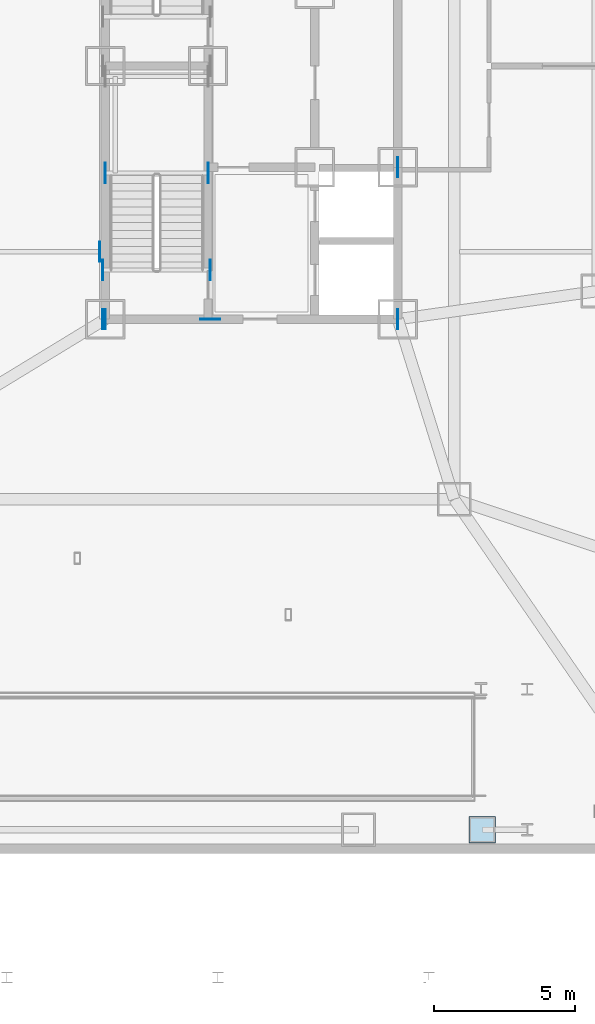
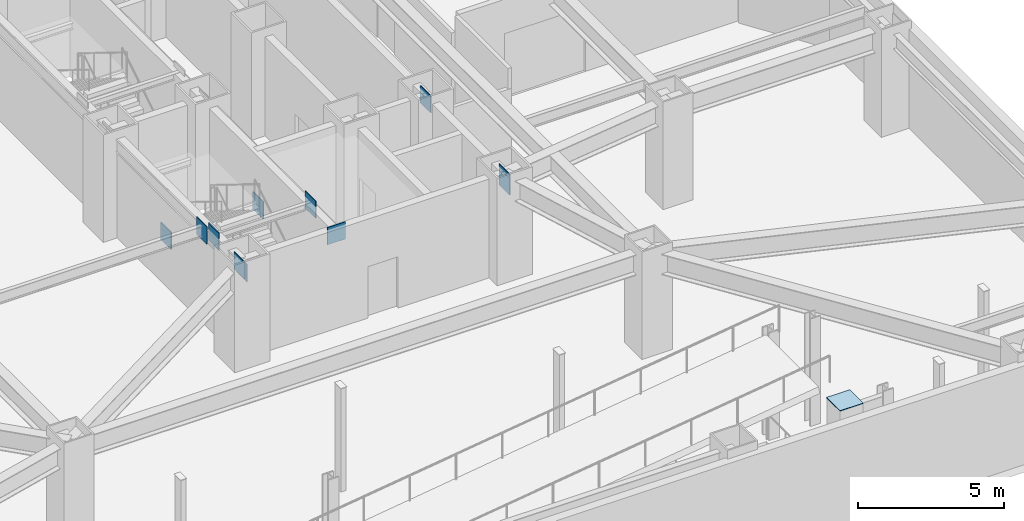
# One storey, part 6 of 14: 12 plates.
"""IFC4 building model written with IfcOpenShell, lengths in metres."""

from ifc_helpers import new_model, si_unit, direction, frame, origin, origin_2d, place, context, subcontext, project, spatial, rectangle, extrude, material, layer, layer_set, type_object, element, save


model = new_model("IFC4")

# Units and contexts
model_context = context("Model", 3, precision=1e-05, world=origin(), true_north=direction((0.0, 1.0)))
body_context = subcontext(model_context, "Body", "Model", "MODEL_VIEW")
ifc_project = project(units=[si_unit("LENGTHUNIT", "METRE"), si_unit("AREAUNIT", "SQUARE_METRE"), si_unit("VOLUMEUNIT", "CUBIC_METRE"), si_unit("PLANEANGLEUNIT", "RADIAN"), si_unit("MASSUNIT", "GRAM", prefix="KILO")], contexts=[model_context])

# Site, building, storey
site_placement = place(None, origin())
site = spatial("IfcSite", under=ifc_project, at=site_placement, CompositionType="ELEMENT")
building_placement = place(site_placement, origin())
building = spatial("IfcBuilding", under=site, at=building_placement, Name="Khamvora Tower", CompositionType="ELEMENT")
storey_placement = place(building_placement, frame((0.0, 0.0, -4.5)))
storey = spatial("IfcBuildingStorey", under=building, at=storey_placement, Name="B1", CompositionType="ELEMENT", Elevation=-4.5)

# Plates
ifc_material_1 = material(Name="Steel S355", Category="steel")
ifc_layer_1 = layer(ifc_material_1, 0.02490234375)
ifc_layer_set_1 = layer_set([ifc_layer_1], Name="Steel S355")
plate_type_1 = type_object("IfcPlateType", Name="PL-CAP-25", PredefinedType="SHEET", material=ifc_layer_set_1)
plate_1_placement = place(storey_placement, frame((42.39990234375, 0.85009765625, 4.474609375), z_axis=(0.0, 0.0, 1.0), x_axis=(1.0, 0.0, 0.0)))
element("IfcPlate", 1, at=plate_1_placement, inside=storey, type_object=plate_type_1, Name="B1 hollow section steel end cap plate 0079", PredefinedType="SHEET", context=body_context, shape_type="SweptSolid", body=[
    extrude(rectangle(XDim=0.929931640625, YDim=0.929931640625, at=origin_2d()), origin(), (0.0, 0.0, 1.0), 0.02490234375),
])
ifc_material_2 = material(Name="Steel S460", Category="steel")
ifc_layer_2 = layer(ifc_material_2, 0.034912109375)
ifc_layer_set_2 = layer_set([ifc_layer_2], Name="Steel S460")
plate_type_2 = type_object("IfcPlateType", Name="PL-EMB-35", PredefinedType="SHEET", material=ifc_layer_set_2)
for number, where, z_axis, x_axis, name in (
    (2, (29.0, 24.195068359375, 1.55908203125), (0.0, 0.0, 1.0), (1.0, 0.0, 0.0), "B1 core shear wall cast-in embed plate 0028"),
    (3, (32.64990234375, 24.195068359375, 1.55908203125), (0.0, 0.0, 1.0), (1.0, 0.0, 0.0), "B1 core shear wall cast-in embed plate 0029"),
    (4, (29.0, 19.0, 3.35302734375), (0.0, 0.0, 1.0), (1.0, 0.0, 0.0), "B1 core shear wall cast-in embed plate 0037"),
    (5, (39.39990234375, 19.0, 3.35302734375), (0.0, 0.0, 1.0), (1.0, 0.0, 0.0), "B1 core shear wall cast-in embed plate 0038"),
    (6, (28.89990234375, 19.0, 3.51318359375), (0.0, 0.0, 1.0), (1.0, 0.0, 0.0), "B1 core shear wall cast-in embed plate 0041"),
):
    element("IfcPlate", number, at=place(storey_placement, frame(where, z_axis=z_axis, x_axis=x_axis)), inside=storey, type_object=plate_type_2, Name=name, PredefinedType="SHEET", context=body_context, shape_type="SweptSolid", body=[
        extrude(rectangle(XDim=0.034912109375, YDim=0.719970703125, at=origin_2d()), origin(), (0.0, 0.0, 1.0), 0.719970703125),
    ])
plate_2_placement = place(storey_placement, frame((32.72998046875, 19.0, 3.51318359375), z_axis=(0.0, 0.0, 1.0), x_axis=(1.0, 0.0, 0.0)))
element("IfcPlate", 7, at=plate_2_placement, inside=storey, type_object=plate_type_2, Name="B1 core shear wall cast-in embed plate 0044", PredefinedType="SHEET", context=body_context, shape_type="SweptSolid", body=[
    extrude(rectangle(XDim=0.719970703125, YDim=0.034912109375, at=origin_2d()), origin(), (0.0, 0.0, 1.0), 0.719970703125),
])
for number, where, z_axis, x_axis, name in (
    (8, (39.39990234375, 19.0, 3.51318359375), (0.0, 0.0, 1.0), (1.0, 0.0, 0.0), "B1 core shear wall cast-in embed plate 0047"),
    (9, (39.39990234375, 24.39990234375, 3.51318359375), (0.0, 0.0, 1.0), (1.0, 0.0, 0.0), "B1 core shear wall cast-in embed plate 0048"),
    (10, (28.89990234375, 20.75, 3.65380859375), (0.0, 0.0, 1.0), (1.0, 0.0, 0.0), "B1 core shear wall cast-in embed plate 0050"),
    (11, (32.72998046875, 20.75, 3.65380859375), (0.0, 0.0, 1.0), (1.0, 0.0, 0.0), "B1 core shear wall cast-in embed plate 0051"),
    (12, (28.800048828125, 21.39990234375, 3.5498046875), (0.0, 0.0, 1.0), (1.0, 0.0, 0.0), "B1 core shear wall cast-in embed plate 0054"),
):
    element("IfcPlate", number, at=place(storey_placement, frame(where, z_axis=z_axis, x_axis=x_axis)), inside=storey, type_object=plate_type_2, Name=name, PredefinedType="SHEET", context=body_context, shape_type="SweptSolid", body=[
        extrude(rectangle(XDim=0.034912109375, YDim=0.719970703125, at=origin_2d()), origin(), (0.0, 0.0, 1.0), 0.719970703125),
    ])

save(model, "model.ifc")
